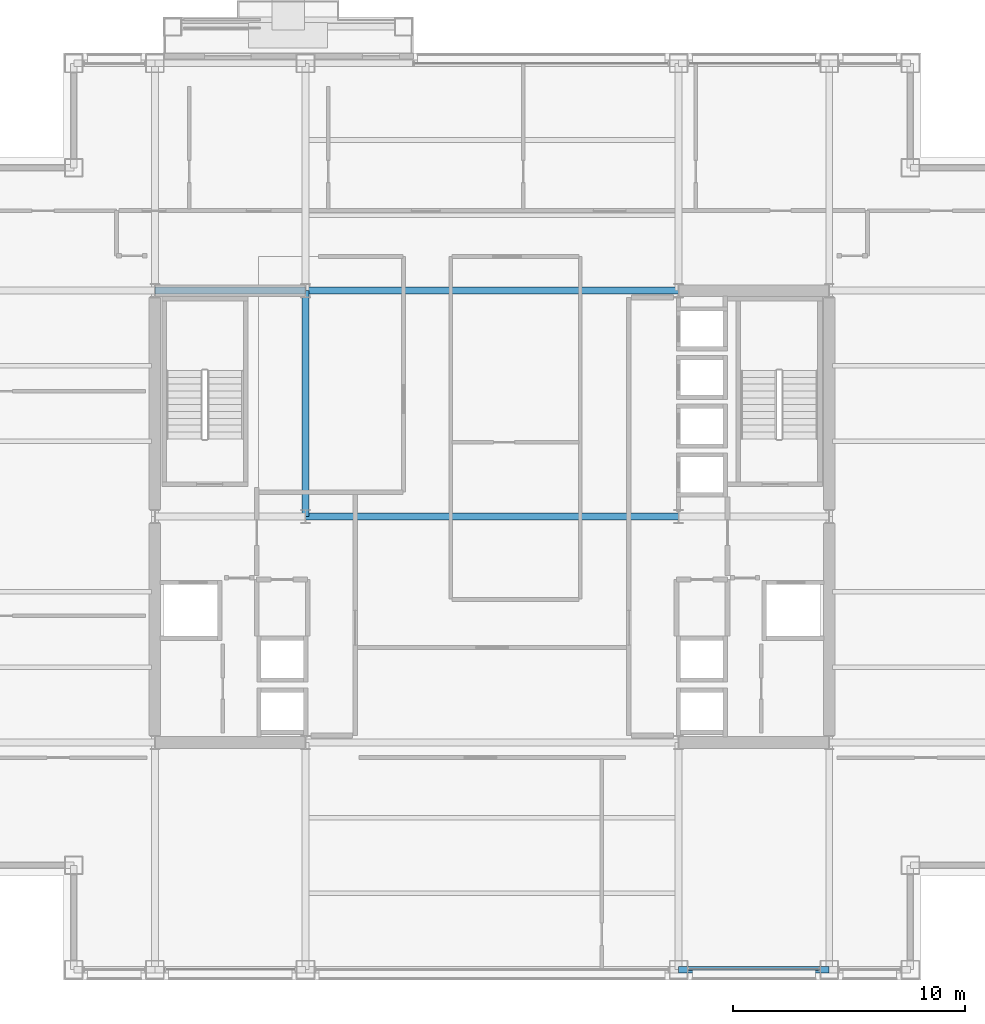
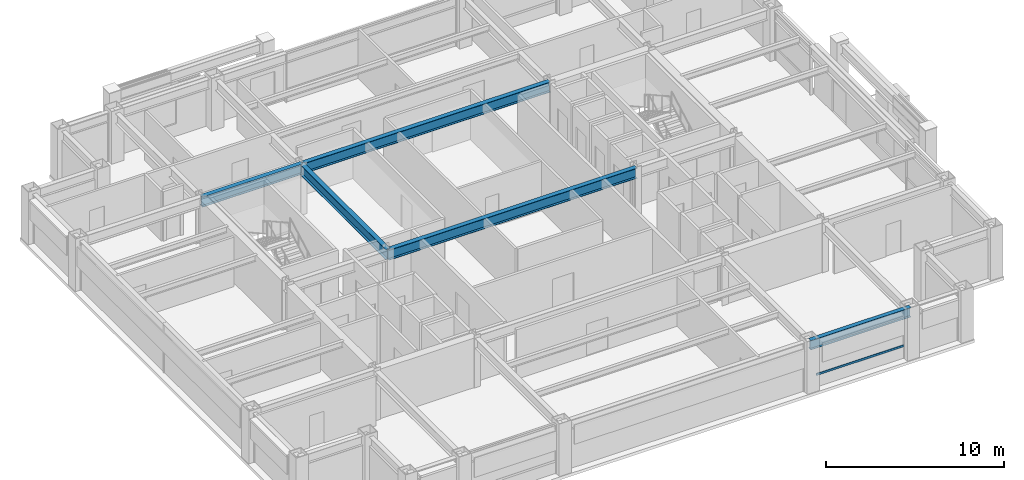
# One storey, part 11 of 29: 5 beams, 1 member, 1 element without a shape of its own.
"""IFC4 building model written with IfcOpenShell, lengths in metres."""

from ifc_helpers import new_model, si_unit, direction, frame, origin, origin_2d, place, context, subcontext, project, spatial, hollow_rectangle, i_section, extrude, material, layer, layer_set, material_profile, profile_set, type_object, element, aggregate, save


model = new_model("IFC4")

# Units and contexts
model_context = context("Model", 3, precision=1e-05, world=origin(), true_north=direction((0.0, 1.0)))
body_context = subcontext(model_context, "Body", "Model", "MODEL_VIEW")
ifc_project = project(units=[si_unit("LENGTHUNIT", "METRE"), si_unit("AREAUNIT", "SQUARE_METRE"), si_unit("VOLUMEUNIT", "CUBIC_METRE"), si_unit("PLANEANGLEUNIT", "RADIAN"), si_unit("MASSUNIT", "GRAM", prefix="KILO")], contexts=[model_context])

# Site, building, storey
site_placement = place(None, origin())
site = spatial("IfcSite", under=ifc_project, at=site_placement, CompositionType="ELEMENT")
building_placement = place(site_placement, origin())
building = spatial("IfcBuilding", under=site, at=building_placement, Name="Brelmoor Portico Tower", CompositionType="ELEMENT")
storey_placement = place(building_placement, frame((0.0, 0.0, 138.60009765625)))
storey = spatial("IfcBuildingStorey", under=building, at=storey_placement, Name="L36", CompositionType="ELEMENT", Elevation=138.60009765625)

# Beams
ifc_material_1 = material(Name="Steel Q355B", Category="steel")
ifc_material_profile_1 = material_profile(ifc_material_1, i_section(OverallWidth=0.300048828125, OverallDepth=0.699951171875, WebThickness=0.012939453125, FlangeThickness=0.02392578125, at=origin_2d()), Name="HN 700x300x13x24")
ifc_profile_set_1 = profile_set([ifc_material_profile_1], Name="Steel Q355B")
beam_type_1 = type_object("IfcBeamType", Name="BM-PG-700", PredefinedType="BEAM", material=ifc_profile_set_1)
beam_1_placement = place(storey_placement, frame((-8.050048828125, 0.0, 3.0498046875), z_axis=(0.0, 1.0, 0.0), x_axis=(-1.0, 0.0, 0.0)))
element("IfcBeam", 1, at=beam_1_placement, inside=storey, type_object=beam_type_1, Name="L36 Primary Floor Girder PG-06", PredefinedType="BEAM", context=body_context, shape_type="SweptSolid", body=[
    extrude(i_section(OverallWidth=0.300048828125, OverallDepth=0.699951171875, WebThickness=0.012939453125, FlangeThickness=0.02392578125, at=origin_2d()), origin(), (0.0, 0.0, 1.0), 9.75),
])
beam_2_placement = place(storey_placement, frame((-8.050048828125, 0.0, 3.0498046875), z_axis=(1.0, 0.0, 0.0), x_axis=(0.0, 1.0, 0.0)))
element("IfcBeam", 2, at=beam_2_placement, inside=storey, type_object=beam_type_1, Name="L36 Primary Floor Girder PG-20", PredefinedType="BEAM", context=body_context, shape_type="SweptSolid", body=[
    extrude(i_section(OverallWidth=0.300048828125, OverallDepth=0.699951171875, WebThickness=0.012939453125, FlangeThickness=0.02392578125, at=origin_2d()), origin(), (0.0, 0.0, 1.0), 16.10009765625),
])
beam_3_placement = place(storey_placement, frame((-14.550048828125, 9.75, 3.0498046875), z_axis=(1.0, 0.0, 0.0), x_axis=(0.0, 1.0, 0.0)))
element("IfcBeam", 3, at=beam_3_placement, inside=storey, type_object=beam_type_1, Name="L36 Primary Floor Girder PG-23", PredefinedType="BEAM", context=body_context, shape_type="SweptSolid", body=[
    extrude(i_section(OverallWidth=0.300048828125, OverallDepth=0.699951171875, WebThickness=0.012939453125, FlangeThickness=0.02392578125, at=origin_2d()), origin(), (0.0, 0.0, 1.0), 6.5),
])
beam_4_placement = place(storey_placement, frame((-8.050048828125, 9.75, 3.0498046875), z_axis=(1.0, 0.0, 0.0), x_axis=(0.0, 1.0, 0.0)))
element("IfcBeam", 4, at=beam_4_placement, inside=storey, type_object=beam_type_1, Name="L36 Primary Floor Girder PG-24", PredefinedType="BEAM", context=body_context, shape_type="SweptSolid", body=[
    extrude(i_section(OverallWidth=0.300048828125, OverallDepth=0.699951171875, WebThickness=0.012939453125, FlangeThickness=0.02392578125, at=origin_2d()), origin(), (0.0, 0.0, 1.0), 16.10009765625),
])
ifc_material_profile_2 = material_profile(ifc_material_1, i_section(OverallWidth=0.280029296875, OverallDepth=0.64990234375, WebThickness=0.012939453125, FlangeThickness=0.02197265625, at=origin_2d()), Name="HN 650x280x13x22")
ifc_profile_set_2 = profile_set([ifc_material_profile_2], Name="Steel Q355B")
beam_type_2 = type_object("IfcBeamType", Name="BM-SP-650", PredefinedType="SPANDREL", material=ifc_profile_set_2)
beam_5_placement = place(storey_placement, frame((8.050048828125, -19.550048828125, 3.074951171875), z_axis=(1.0, 0.0, 0.0), x_axis=(0.0, 1.0, 0.0)))
element("IfcBeam", 5, at=beam_5_placement, inside=storey, type_object=beam_type_2, Name="L36 Perimeter Spandrel Beam SP-04", PredefinedType="SPANDREL", context=body_context, shape_type="SweptSolid", body=[
    extrude(i_section(OverallWidth=0.280029296875, OverallDepth=0.64990234375, WebThickness=0.012939453125, FlangeThickness=0.02197265625, at=origin_2d()), origin(), (0.0, 0.0, 1.0), 6.5),
])

# Curtain wall, member
ifc_material_2 = material(Name="Anodised Aluminium Alloy 6063-T6", Category="aluminium")
ifc_layer = layer(ifc_material_2, 0.179931640625)
ifc_layer_set = layer_set([ifc_layer], Name="Anodised Aluminium Alloy 6063-T6")
curtain_wall_type = type_object("IfcCurtainWallType", Name="CW-TOWER-Z2", PredefinedType="NOTDEFINED", material=ifc_layer_set)
curtain_wall_placement = place(storey_placement, origin())
curtain_wall = element("IfcCurtainWall", 6, at=curtain_wall_placement, inside=storey, type_object=curtain_wall_type, Name="L36 Curtain Wall CW-L36-01-4", PredefinedType="NOTDEFINED")
ifc_material_profile_3 = material_profile(ifc_material_2, hollow_rectangle(XDim=0.06494140625, YDim=0.139892578125, WallThickness=0.00390625, at=origin_2d()), Name="ALU TRANSOM 65x140")
ifc_profile_set_3 = profile_set([ifc_material_profile_3], Name="Anodised Aluminium Alloy 6063-T6")
member_type = type_object("IfcMemberType", Name="MB-CW-TRAN-140", PredefinedType="USERDEFINED", material=ifc_profile_set_3)
member_placement = place(storey_placement, frame((8.4599609375, -19.550048828125, 0.849853515625), z_axis=(1.0, 0.0, 0.0), x_axis=(0.0, 1.0, 0.0)))
member = element("IfcMember", 7, at=member_placement, type_object=member_type, Name="CW-L36-01-4 Transom 1-00", ObjectType="TRANSOM", PredefinedType="USERDEFINED", context=body_context, shape_type="SweptSolid", body=[
    extrude(hollow_rectangle(XDim=0.06494140625, YDim=0.139892578125, WallThickness=0.00390625, at=origin_2d()), origin(), (0.0, 0.0, 1.0), 5.679931640625),
])
aggregate(curtain_wall, [member])

save(model, "model.ifc")
